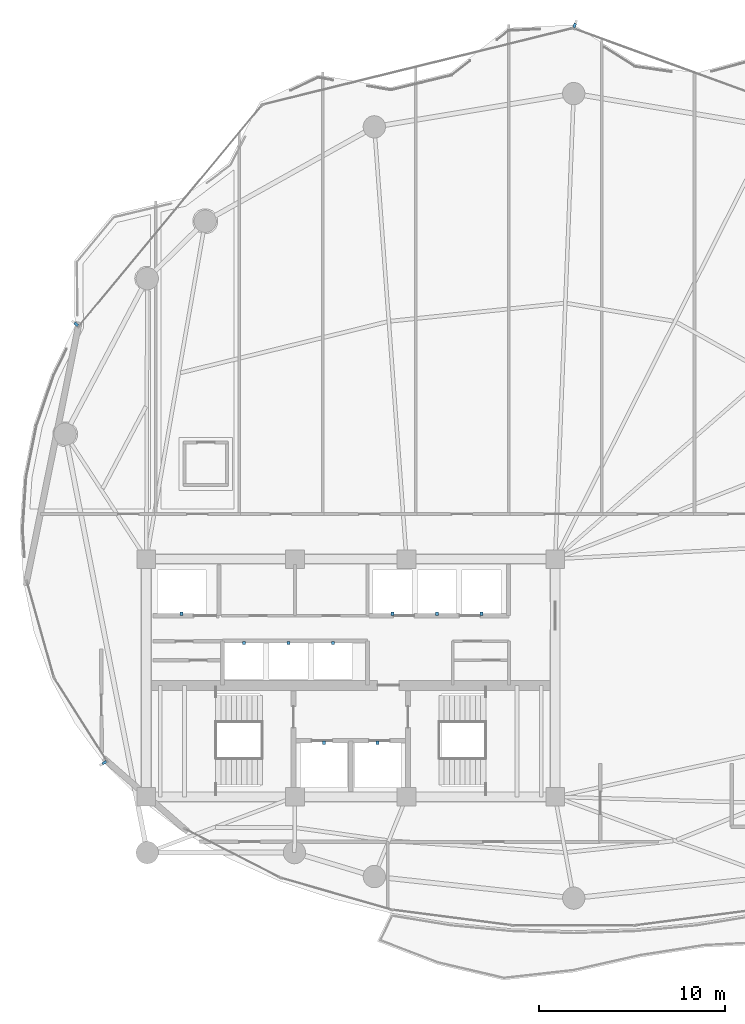
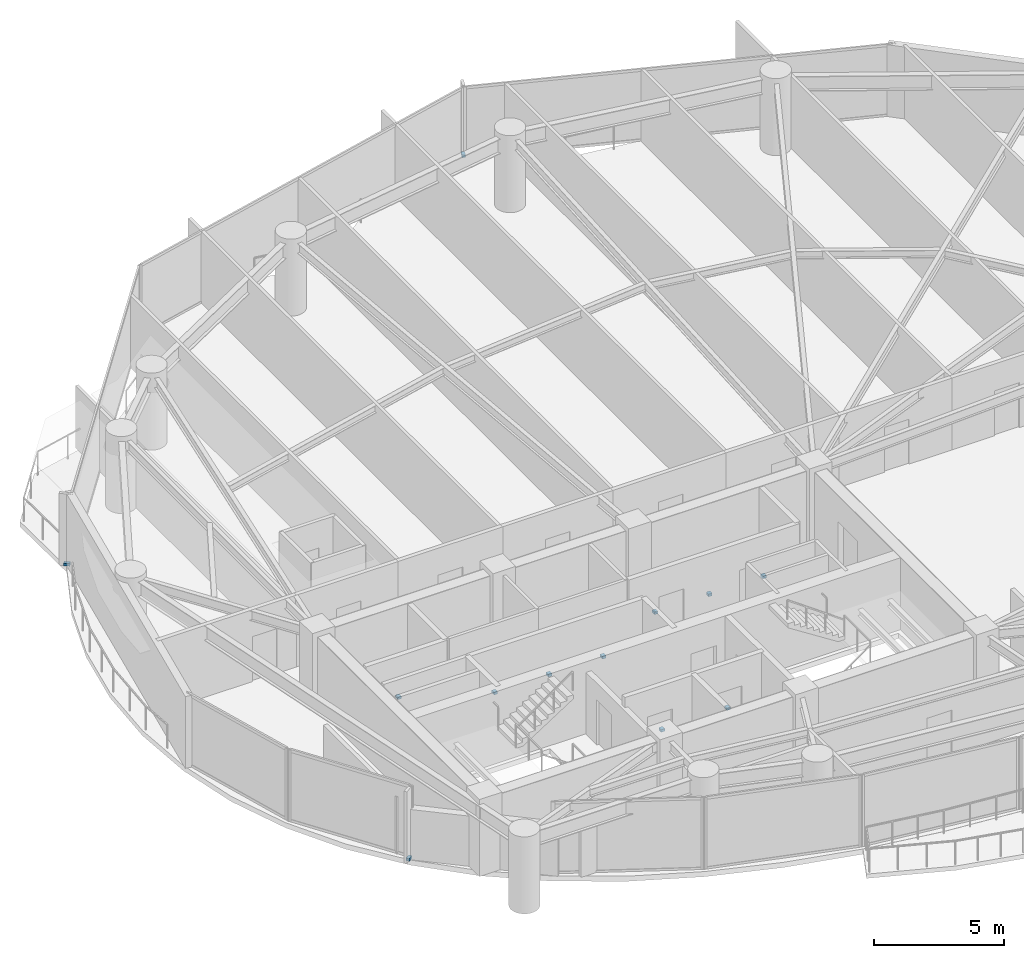
# One storey, part 25 of 28: 12 discrete accessories.
"""IFC4 building model written with IfcOpenShell, lengths in metres."""

from ifc_helpers import new_model, si_unit, direction, frame, origin, origin_2d, place, context, subcontext, project, spatial, rectangle, extrude, material, type_object, element, save


model = new_model("IFC4")

# Units and contexts
model_context = context("Model", 3, precision=1e-05, world=origin(), true_north=direction((0.0, 1.0)))
body_context = subcontext(model_context, "Body", "Model", "MODEL_VIEW")
ifc_project = project(units=[si_unit("LENGTHUNIT", "METRE"), si_unit("AREAUNIT", "SQUARE_METRE"), si_unit("VOLUMEUNIT", "CUBIC_METRE"), si_unit("PLANEANGLEUNIT", "RADIAN"), si_unit("MASSUNIT", "GRAM", prefix="KILO")], contexts=[model_context])

# Site, building, storey
site_placement = place(None, origin())
site = spatial("IfcSite", under=ifc_project, at=site_placement, CompositionType="ELEMENT")
building_placement = place(site_placement, origin())
building = spatial("IfcBuilding", under=site, at=building_placement, Name="Kazevale Care Tower and Concert Hall", CompositionType="ELEMENT")
storey_placement = place(building_placement, frame((0.0, 0.0, 135.0)))
storey = spatial("IfcBuildingStorey", under=building, at=storey_placement, Name="L35", CompositionType="ELEMENT", Elevation=135.0)

# Discrete accessories
ifc_material = material(Name="Stainless Steel 316", Category="steel")
discrete_accessory_type_1 = type_object("IfcDiscreteAccessoryType", Name="Facade Fin Stainless Anchor Bracket BRK-1", PredefinedType="BRACKET", material=ifc_material)
for number, where, z_axis, x_axis, name in (
    (1, (19.739013671875, 25.4443359375, 0.0), (0.0, 0.0, 1.0), (-0.843391445813, -0.537299608347, 0.0), "cw:L35:f11:brk"),
    (2, (18.2265625, 49.0322265625, 0.0), (0.0, 0.0, 1.0), (-0.770068049148, 0.637961754089, 0.0), "cw:L35:f14:brk"),
    (3, (45.0478515625, 65.113037109375, 0.0), (0.0, 0.0, 1.0), (0.343167938899, 0.939274063153, 0.0), "cw:L35:f16:brk"),
):
    element("IfcDiscreteAccessory", number, at=place(storey_placement, frame(where, z_axis=z_axis, x_axis=x_axis)), inside=storey, type_object=discrete_accessory_type_1, Name=name, PredefinedType="BRACKET", context=body_context, shape_type="SweptSolid", body=[
        extrude(rectangle(XDim=0.239990234375, YDim=0.139892578125, at=origin_2d()), origin(), (0.0, 0.0, 1.0), 0.1201171875),
    ])
discrete_accessory_type_2 = type_object("IfcDiscreteAccessoryType", Name="Hoistway Guide-Rail Wall Bracket HBRK-1", PredefinedType="BRACKET", material=ifc_material)
for number, where, z_axis, x_axis, name in (
    (4, (31.550048828125, 26.52001953125, 1.239990234375), (0.0, 0.0, 1.0), (1.0, 0.0, 0.0), "hbrk:FFL-1:L35"),
    (5, (34.449951171875, 26.52001953125, 1.239990234375), (0.0, 0.0, 1.0), (1.0, 0.0, 0.0), "hbrk:FFL-2:L35"),
    (6, (23.89990234375, 33.449951171875, 1.239990234375), (0.0, 0.0, 1.0), (1.0, 0.0, 0.0), "hbrk:SVL-1:L35"),
    (7, (35.25, 33.449951171875, 1.239990234375), (0.0, 0.0, 1.0), (1.0, 0.0, 0.0), "hbrk:PM-1:L35"),
    (8, (37.64990234375, 33.449951171875, 1.239990234375), (0.0, 0.0, 1.0), (1.0, 0.0, 0.0), "hbrk:PM-2:L35"),
    (9, (40.050048828125, 33.449951171875, 1.239990234375), (0.0, 0.0, 1.0), (1.0, 0.0, 0.0), "hbrk:PM-3:L35"),
    (10, (27.25, 31.8798828125, 1.239990234375), (0.0, 0.0, 1.0), (1.0, 0.0, 0.0), "hbrk:PH-1:L35"),
    (11, (29.64990234375, 31.8798828125, 1.239990234375), (0.0, 0.0, 1.0), (1.0, 0.0, 0.0), "hbrk:PH-2:L35"),
    (12, (32.050048828125, 31.8798828125, 1.239990234375), (0.0, 0.0, 1.0), (1.0, 0.0, 0.0), "hbrk:PH-3:L35"),
):
    element("IfcDiscreteAccessory", number, at=place(storey_placement, frame(where, z_axis=z_axis, x_axis=x_axis)), inside=storey, type_object=discrete_accessory_type_2, Name=name, PredefinedType="BRACKET", context=body_context, shape_type="SweptSolid", body=[
        extrude(rectangle(XDim=0.159912109375, YDim=0.179931640625, at=origin_2d()), origin(), (0.0, 0.0, 1.0), 0.1201171875),
    ])

save(model, "model.ifc")
